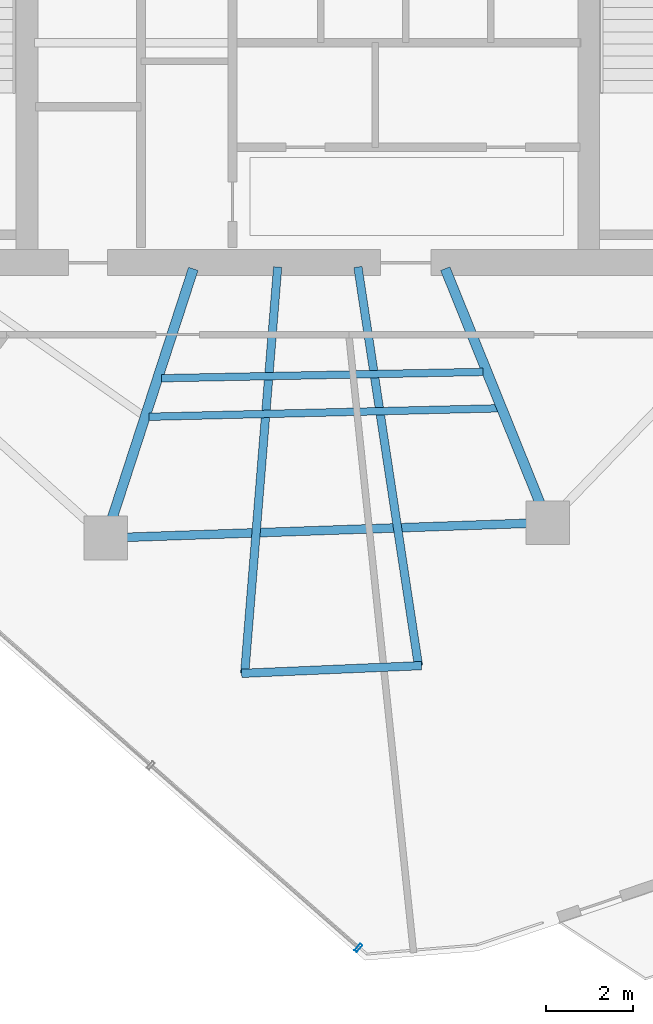
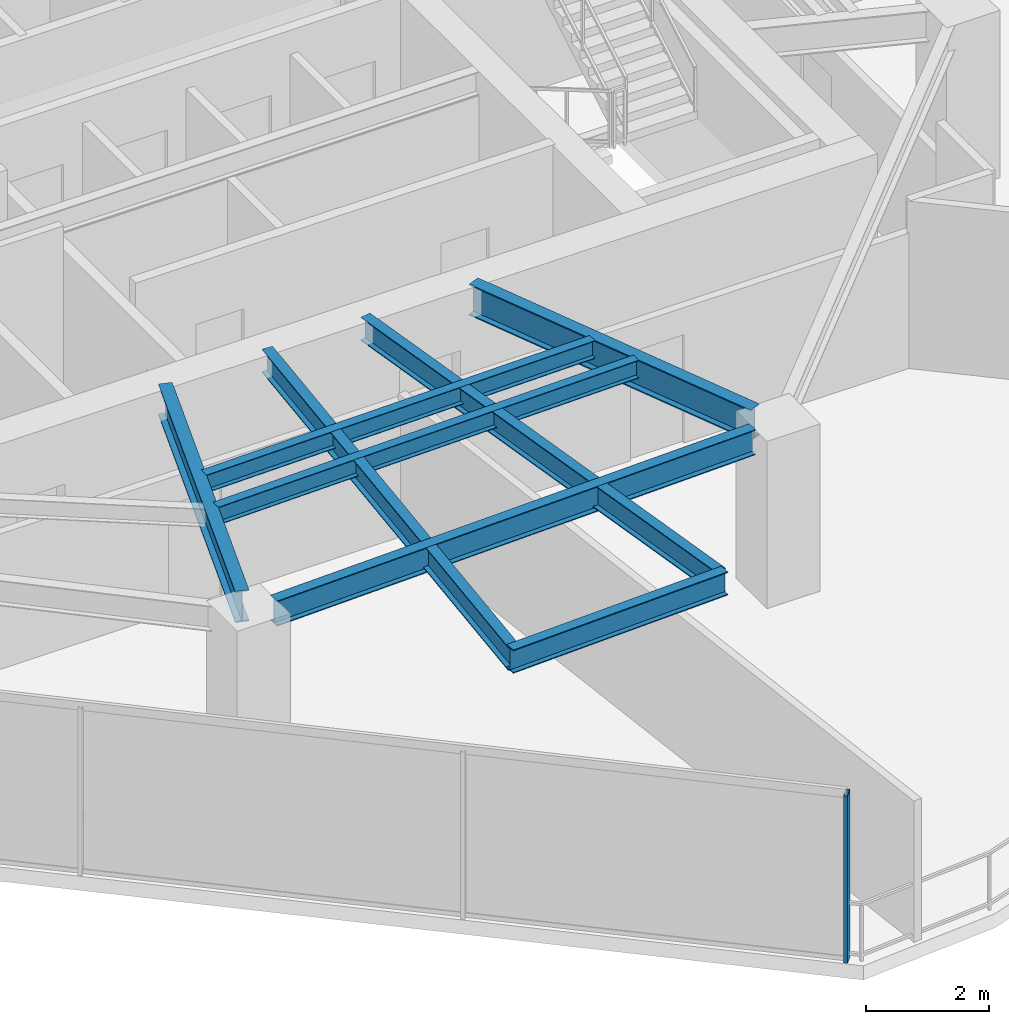
# One storey, part 5 of 20: 8 beams, 1 member, 1 element without a shape of its own.
"""IFC4 building model written with IfcOpenShell, lengths in metres."""

from ifc_helpers import new_model, si_unit, direction, frame, origin, origin_2d, place, context, subcontext, project, spatial, hollow_rectangle, i_section, extrude, material, layer, layer_set, material_profile, profile_set, type_object, element, aggregate, save


model = new_model("IFC4")

# Units and contexts
model_context = context("Model", 3, precision=1e-05, world=origin(), true_north=direction((0.0, 1.0)))
body_context = subcontext(model_context, "Body", "Model", "MODEL_VIEW")
ifc_project = project(units=[si_unit("LENGTHUNIT", "METRE"), si_unit("AREAUNIT", "SQUARE_METRE"), si_unit("VOLUMEUNIT", "CUBIC_METRE"), si_unit("PLANEANGLEUNIT", "RADIAN"), si_unit("MASSUNIT", "GRAM", prefix="KILO")], contexts=[model_context])

# Site, building, storey
site_placement = place(None, origin())
site = spatial("IfcSite", under=ifc_project, at=site_placement, CompositionType="ELEMENT")
building_placement = place(site_placement, origin())
building = spatial("IfcBuilding", under=site, at=building_placement, Name="Qarnah Convention Tower", CompositionType="ELEMENT")
storey_placement = place(building_placement, frame((0.0, 0.0, 136.5)))
storey = spatial("IfcBuildingStorey", under=building, at=storey_placement, Name="L36", CompositionType="ELEMENT", Elevation=136.5)

# Beams
ifc_material_1 = material(Name="Structural steel S355JR", Category="steel")
ifc_material_profile_1 = material_profile(ifc_material_1, i_section(OverallWidth=0.19189453125, OverallDepth=0.464111328125, WebThickness=0.010986328125, FlangeThickness=0.01806640625, at=origin_2d()), Name="W460X89")
ifc_profile_set_1 = profile_set([ifc_material_profile_1], Name="Structural steel S355JR")
beam_type_1 = type_object("IfcBeamType", Name="BM-CANT-W460A", PredefinedType="BEAM", material=ifc_profile_set_1)
beam_1_placement = place(storey_placement, frame((38.40087890625, 18.5009765625, 3.087890625), z_axis=(0.150195006727, -0.988656391247, 0.0), x_axis=(0.988656391247, 0.150195006727, 0.0)))
element("IfcBeam", 1, at=beam_1_placement, inside=storey, type_object=beam_type_1, Name="L36 beam BM-L36-CNT-03-1", PredefinedType="BEAM", context=body_context, shape_type="SweptSolid", body=[
    extrude(i_section(OverallWidth=0.19189453125, OverallDepth=0.464111328125, WebThickness=0.010986328125, FlangeThickness=0.01806640625, at=origin_2d()), origin(), (0.0, 0.0, 1.0), 9.261962890625),
])
beam_2_placement = place(storey_placement, frame((36.55810546875, 18.5, 3.087890625), z_axis=(-0.080897121946, -0.996722456685, 0.0), x_axis=(0.996722456685, -0.080897121946, 0.0)))
element("IfcBeam", 2, at=beam_2_placement, inside=storey, type_object=beam_type_1, Name="L36 beam BM-L36-CNT-03-2", PredefinedType="BEAM", context=body_context, shape_type="SweptSolid", body=[
    extrude(i_section(OverallWidth=0.19189453125, OverallDepth=0.464111328125, WebThickness=0.010986328125, FlangeThickness=0.01806640625, at=origin_2d()), origin(), (0.0, 0.0, 1.0), 9.358642578125),
])
beam_3_placement = place(storey_placement, frame((39.862060546875, 9.346923828125, 3.087890625), z_axis=(-0.999073236436, -0.043042632785, 0.0), x_axis=(0.043042632785, -0.999073236436, 0.0)))
element("IfcBeam", 3, at=beam_3_placement, inside=storey, type_object=beam_type_1, Name="L36 spandrel BM-L36-CTIE-03", PredefinedType="SPANDREL", context=body_context, shape_type="SweptSolid", body=[
    extrude(i_section(OverallWidth=0.19189453125, OverallDepth=0.464111328125, WebThickness=0.010986328125, FlangeThickness=0.01806640625, at=origin_2d()), origin(), (0.0, 0.0, 1.0), 4.135009765625),
])
ifc_material_profile_2 = material_profile(ifc_material_1, i_section(OverallWidth=0.172119140625, OverallDepth=0.35595703125, WebThickness=0.007080078125, FlangeThickness=0.011962890625, at=origin_2d()), Name="W360X51")
ifc_profile_set_2 = profile_set([ifc_material_profile_2], Name="Structural steel S355JR")
beam_type_2 = type_object("IfcBeamType", Name="BM-JST-W360", PredefinedType="JOIST", material=ifc_profile_set_2)
beam_4_placement = place(storey_placement, frame((33.60498046875, 15.06103515625, 3.14208984375), z_axis=(0.999707078051, 0.024202439856, 0.0), x_axis=(-0.024202439856, 0.999707078051, 0.0)))
element("IfcBeam", 4, at=beam_4_placement, inside=storey, type_object=beam_type_2, Name="L36 joist BM-L36-SJST-07", PredefinedType="JOIST", context=body_context, shape_type="SweptSolid", body=[
    extrude(i_section(OverallWidth=0.172119140625, OverallDepth=0.35595703125, WebThickness=0.007080078125, FlangeThickness=0.011962890625, at=origin_2d()), origin(), (0.0, 0.0, 1.0), 8.009521484375),
])
beam_5_placement = place(storey_placement, frame((33.89306640625, 15.946044921875, 3.14208984375), z_axis=(0.999807032835, 0.019644263612, 0.0), x_axis=(-0.019644263612, 0.999807032835, 0.0)))
element("IfcBeam", 5, at=beam_5_placement, inside=storey, type_object=beam_type_2, Name="L36 joist BM-L36-IJST-07", PredefinedType="JOIST", context=body_context, shape_type="SweptSolid", body=[
    extrude(i_section(OverallWidth=0.172119140625, OverallDepth=0.35595703125, WebThickness=0.007080078125, FlangeThickness=0.011962890625, at=origin_2d()), origin(), (0.0, 0.0, 1.0), 7.38232421875),
])
ifc_material_profile_3 = material_profile(ifc_material_1, i_section(OverallWidth=0.22998046875, OverallDepth=0.617919921875, WebThickness=0.012939453125, FlangeThickness=0.02197265625, at=origin_2d()), Name="W610X140")
ifc_profile_set_3 = profile_set([ifc_material_profile_3], Name="Structural steel S355JR")
beam_type_3 = type_object("IfcBeamType", Name="BM-RAD-W610A", PredefinedType="BEAM", material=ifc_profile_set_3)
beam_6_placement = place(storey_placement, frame((34.6201171875, 18.45703125, 3.010986328125), z_axis=(-0.30919796314, -0.950997696942, 0.0), x_axis=(0.950997696942, -0.30919796314, 0.0)))
element("IfcBeam", 6, at=beam_6_placement, inside=storey, type_object=beam_type_3, Name="L36 beam BM-L36-RAD-07", PredefinedType="BEAM", context=body_context, shape_type="SweptSolid", body=[
    extrude(i_section(OverallWidth=0.22998046875, OverallDepth=0.617919921875, WebThickness=0.012939453125, FlangeThickness=0.02197265625, at=origin_2d()), origin(), (0.0, 0.0, 1.0), 6.01904296875),
])
beam_7_placement = place(storey_placement, frame((40.406982421875, 18.4609375, 3.010986328125), z_axis=(0.374656949885, -0.927163507642, 0.0), x_axis=(0.927163507642, 0.374656949885, 0.0)))
element("IfcBeam", 7, at=beam_7_placement, inside=storey, type_object=beam_type_3, Name="L36 beam BM-L36-RAD-08", PredefinedType="BEAM", context=body_context, shape_type="SweptSolid", body=[
    extrude(i_section(OverallWidth=0.22998046875, OverallDepth=0.617919921875, WebThickness=0.012939453125, FlangeThickness=0.02197265625, at=origin_2d()), origin(), (0.0, 0.0, 1.0), 5.80810546875),
])
ifc_material_profile_4 = material_profile(ifc_material_1, i_section(OverallWidth=0.199951171875, OverallDepth=0.5, WebThickness=0.010009765625, FlangeThickness=0.01611328125, at=origin_2d()), Name="IPE500")
ifc_profile_set_4 = profile_set([ifc_material_profile_4], Name="Structural steel S355JR")
beam_type_4 = type_object("IfcBeamType", Name="BM-SPN-IPE500", PredefinedType="SPANDREL", material=ifc_profile_set_4)
beam_8_placement = place(storey_placement, frame((33.10107421875, 12.2939453125, 3.070068359375), z_axis=(0.999391665003, 0.034875491717, 0.0), x_axis=(-0.034875491717, 0.999391665003, 0.0)))
element("IfcBeam", 8, at=beam_8_placement, inside=storey, type_object=beam_type_4, Name="L36 spandrel BM-L36-SPN-07", PredefinedType="SPANDREL", context=body_context, shape_type="SweptSolid", body=[
    extrude(i_section(OverallWidth=0.199951171875, OverallDepth=0.5, WebThickness=0.010009765625, FlangeThickness=0.01611328125, at=origin_2d()), origin(), (0.0, 0.0, 1.0), 9.177490234375),
])

# Curtain wall, member
ifc_material_2 = material(Name="Tempered Low-E dark glass", Category="glass")
ifc_layer = layer(ifc_material_2, 0.172119140625)
ifc_layer_set = layer_set([ifc_layer], Name="Tempered Low-E dark glass")
curtain_wall_type = type_object("IfcCurtainWallType", Name="CWS-03", PredefinedType="NOTDEFINED", material=ifc_layer_set)
curtain_wall_placement = place(storey_placement, origin())
curtain_wall = element("IfcCurtainWall", 9, at=curtain_wall_placement, inside=storey, type_object=curtain_wall_type, Name="L36 unitised curtain wall CW-L36-F2", PredefinedType="NOTDEFINED")
ifc_material_3 = material(Name="Black anodised aluminium", Category="aluminium")
ifc_material_profile_5 = material_profile(ifc_material_3, hollow_rectangle(XDim=0.070068359375, YDim=0.199951171875, WallThickness=0.0048828125, at=origin_2d()), Name="MUL-70X200")
ifc_profile_set_5 = profile_set([ifc_material_profile_5], Name="Black anodised aluminium")
member_type = type_object("IfcMemberType", Name="MUL-T3", PredefinedType="MULLION", material=ifc_profile_set_5)
member_placement = place(storey_placement, frame((38.4140625, 2.867919921875, 0.0), z_axis=(0.0, 0.0, 1.0), x_axis=(-0.751498144926, 0.659735203072, 0.0)))
member = element("IfcMember", 10, at=member_placement, type_object=member_type, Name="CW-L36-F2 mullion 1", PredefinedType="MULLION", context=body_context, shape_type="SweptSolid", body=[
    extrude(hollow_rectangle(XDim=0.070068359375, YDim=0.199951171875, WallThickness=0.0048828125, at=origin_2d()), origin(), (0.0, 0.0, 1.0), 3.320068359375),
])
aggregate(curtain_wall, [member])

save(model, "model.ifc")
